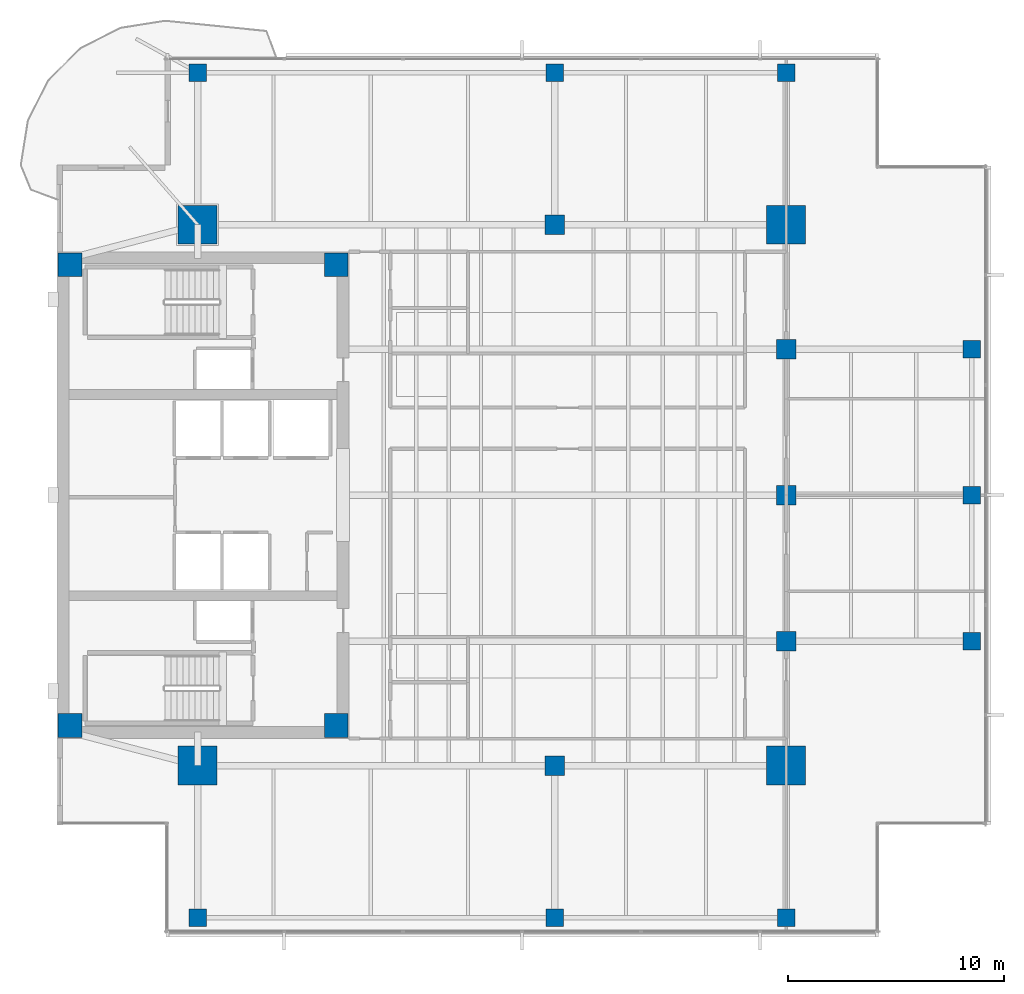
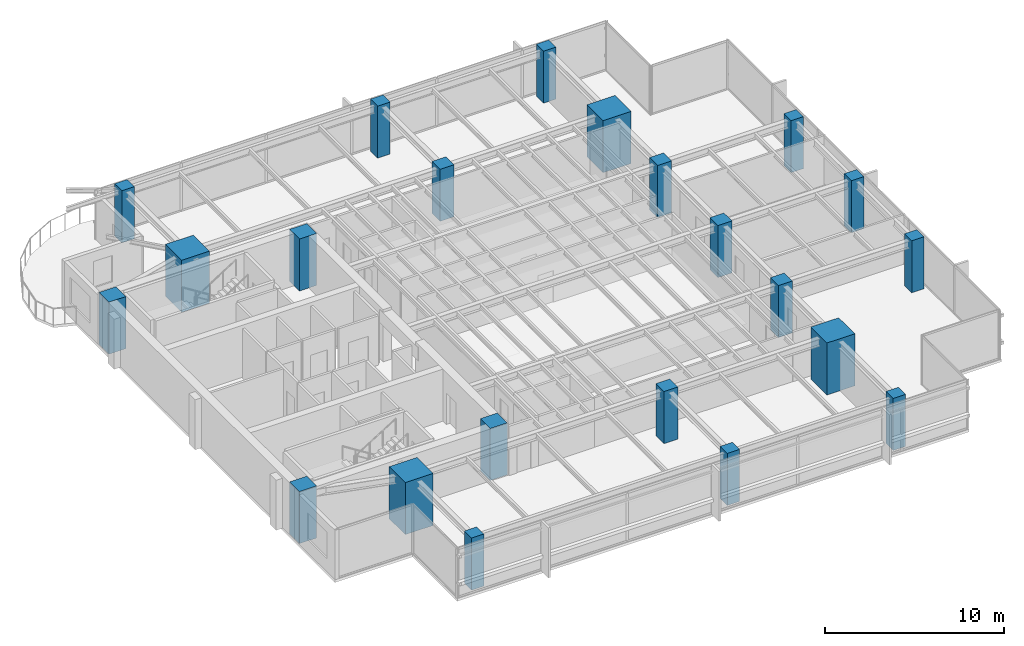
# One storey, part 1 of 14: 22 columns.
"""IFC4 building model written with IfcOpenShell, lengths in metres."""

from ifc_helpers import new_model, si_unit, direction, frame, origin, origin_2d, place, context, subcontext, project, spatial, rectangle, extrude, material, material_profile, profile_set, type_object, element, save


model = new_model("IFC4")

# Units and contexts
model_context = context("Model", 3, precision=1e-05, world=origin(), true_north=direction((0.0, 1.0)))
body_context = subcontext(model_context, "Body", "Model", "MODEL_VIEW")
ifc_project = project(units=[si_unit("LENGTHUNIT", "METRE"), si_unit("AREAUNIT", "SQUARE_METRE"), si_unit("VOLUMEUNIT", "CUBIC_METRE"), si_unit("PLANEANGLEUNIT", "RADIAN"), si_unit("MASSUNIT", "GRAM", prefix="KILO")], contexts=[model_context])

# Site, building, storey
site_placement = place(None, origin())
site = spatial("IfcSite", under=ifc_project, at=site_placement, CompositionType="ELEMENT")
building_placement = place(site_placement, origin())
building = spatial("IfcBuilding", under=site, at=building_placement, Name="Kinhvarn Gate Tower", CompositionType="ELEMENT")
storey_placement = place(building_placement, frame((0.0, 0.0, 209.35009765625)))
storey = spatial("IfcBuildingStorey", under=building, at=storey_placement, Name="L55", CompositionType="ELEMENT", Elevation=209.35009765625)

# Columns
ifc_material_1 = material(Name="Concrete C60/75", Category="concrete")
ifc_material_profile_1 = material_profile(ifc_material_1, rectangle(XDim=1.800048828125, YDim=1.800048828125, at=origin_2d()), Name="RC 1800x1800")
ifc_profile_set_1 = profile_set([ifc_material_profile_1], Name="Concrete C60/75")
column_type_1 = type_object("IfcColumnType", Name="COL-MC-1800", PredefinedType="COLUMN", material=ifc_profile_set_1)
for number, where, z_axis, x_axis, name in (
    (1, (11.0, 12.75, 0.0), (0.0, 0.0, 1.0), (1.0, 0.0, 0.0), "Column MC1-L55 (MC-18)"),
    (2, (11.0, 37.75, 0.0), (0.0, 0.0, 1.0), (1.0, 0.0, 0.0), "Column MC4-L55 (MC-18)"),
    (3, (38.199951171875, 12.75, 0.0), (0.0, 0.0, 1.0), (1.0, 0.0, 0.0), "Column MC2-L55 (MC-18)"),
    (4, (38.199951171875, 37.75, 0.0), (0.0, 0.0, 1.0), (1.0, 0.0, 0.0), "Column MC3-L55 (MC-18)"),
):
    element("IfcColumn", number, at=place(storey_placement, frame(where, z_axis=z_axis, x_axis=x_axis)), inside=storey, type_object=column_type_1, Name=name, PredefinedType="COLUMN", context=body_context, shape_type="SweptSolid", body=[
        extrude(rectangle(XDim=1.800048828125, YDim=1.800048828125, at=origin_2d()), origin(), (0.0, 0.0, 1.0), 3.5498046875),
    ])
ifc_material_2 = material(Name="Concrete C50/60", Category="concrete")
ifc_material_profile_2 = material_profile(ifc_material_2, rectangle(XDim=0.800048828125, YDim=0.800048828125, at=origin_2d()), Name="RC 800x800")
ifc_profile_set_2 = profile_set([ifc_material_profile_2], Name="Concrete C50/60")
column_type_2 = type_object("IfcColumnType", Name="COL-RC-800", PredefinedType="COLUMN", material=ifc_profile_set_2)
for number, where, z_axis, x_axis, name in (
    (5, (46.780029296875, 18.5, 0.0), (0.0, 0.0, 1.0), (1.0, 0.0, 0.0), "Column CE-1-L55 (C-080)"),
    (6, (46.780029296875, 25.25, 0.0), (0.0, 0.0, 1.0), (1.0, 0.0, 0.0), "Column CE-2-L55 (C-080)"),
    (7, (46.780029296875, 32.0, 0.0), (0.0, 0.0, 1.0), (1.0, 0.0, 0.0), "Column CE-3-L55 (C-080)"),
    (8, (11.0, 5.719970703125, 0.0), (0.0, 0.0, 1.0), (1.0, 0.0, 0.0), "Column CS-0-L55 (C-080)"),
    (9, (27.5, 5.719970703125, 0.0), (0.0, 0.0, 1.0), (1.0, 0.0, 0.0), "Column CS-1-L55 (C-080)"),
    (10, (38.199951171875, 5.719970703125, 0.0), (0.0, 0.0, 1.0), (1.0, 0.0, 0.0), "Column CS-2-L55 (C-080)"),
    (11, (11.0, 44.780029296875, 0.0), (0.0, 0.0, 1.0), (1.0, 0.0, 0.0), "Column CN-0-L55 (C-080)"),
    (12, (27.5, 44.780029296875, 0.0), (0.0, 0.0, 1.0), (1.0, 0.0, 0.0), "Column CN-1-L55 (C-080)"),
    (13, (38.199951171875, 44.780029296875, 0.0), (0.0, 0.0, 1.0), (1.0, 0.0, 0.0), "Column CN-2-L55 (C-080)"),
):
    element("IfcColumn", number, at=place(storey_placement, frame(where, z_axis=z_axis, x_axis=x_axis)), inside=storey, type_object=column_type_2, Name=name, PredefinedType="COLUMN", context=body_context, shape_type="SweptSolid", body=[
        extrude(rectangle(XDim=0.800048828125, YDim=0.800048828125, at=origin_2d()), origin(), (0.0, 0.0, 1.0), 3.5498046875),
    ])
ifc_material_profile_3 = material_profile(ifc_material_1, rectangle(XDim=0.89990234375, YDim=0.89990234375, at=origin_2d()), Name="RC 900x900")
ifc_profile_set_3 = profile_set([ifc_material_profile_3], Name="Concrete C60/75")
column_type_3 = type_object("IfcColumnType", Name="COL-RC-900", PredefinedType="COLUMN", material=ifc_profile_set_3)
for number, where, z_axis, x_axis, name in (
    (14, (27.5, 12.75, 0.0), (0.0, 0.0, 1.0), (1.0, 0.0, 0.0), "Column SP27-S-L55 (C-090)"),
    (15, (27.5, 37.75, 0.0), (0.0, 0.0, 1.0), (1.0, 0.0, 0.0), "Column SP27-N-L55 (C-090)"),
    (16, (38.199951171875, 18.5, 0.0), (0.0, 0.0, 1.0), (1.0, 0.0, 0.0), "Column SP38-E1-L55 (C-090)"),
    (17, (38.199951171875, 25.25, 0.0), (0.0, 0.0, 1.0), (1.0, 0.0, 0.0), "Column SP38-E2-L55 (C-090)"),
    (18, (38.199951171875, 32.0, 0.0), (0.0, 0.0, 1.0), (1.0, 0.0, 0.0), "Column SP38-E3-L55 (C-090)"),
):
    element("IfcColumn", number, at=place(storey_placement, frame(where, z_axis=z_axis, x_axis=x_axis)), inside=storey, type_object=column_type_3, Name=name, PredefinedType="COLUMN", context=body_context, shape_type="SweptSolid", body=[
        extrude(rectangle(XDim=0.89990234375, YDim=0.89990234375, at=origin_2d()), origin(), (0.0, 0.0, 1.0), 3.5498046875),
    ])
ifc_material_profile_4 = material_profile(ifc_material_1, rectangle(XDim=1.10009765625, YDim=1.10009765625, at=origin_2d()), Name="RC 1100x1100")
ifc_profile_set_4 = profile_set([ifc_material_profile_4], Name="Concrete C60/75")
column_type_4 = type_object("IfcColumnType", Name="PIL-RC-1100", PredefinedType="PILASTER", material=ifc_profile_set_4)
for number, where, z_axis, x_axis, name in (
    (19, (5.10009765625, 14.60009765625, 0.0), (0.0, 0.0, 1.0), (1.0, 0.0, 0.0), "Column CC-SW-L55 (CP-110)"),
    (20, (5.10009765625, 35.89990234375, 0.0), (0.0, 0.0, 1.0), (1.0, 0.0, 0.0), "Column CC-NW-L55 (CP-110)"),
    (21, (17.39990234375, 14.60009765625, 0.0), (0.0, 0.0, 1.0), (1.0, 0.0, 0.0), "Column CC-SE-L55 (CP-110)"),
    (22, (17.39990234375, 35.89990234375, 0.0), (0.0, 0.0, 1.0), (1.0, 0.0, 0.0), "Column CC-NE-L55 (CP-110)"),
):
    element("IfcColumn", number, at=place(storey_placement, frame(where, z_axis=z_axis, x_axis=x_axis)), inside=storey, type_object=column_type_4, Name=name, PredefinedType="PILASTER", context=body_context, shape_type="SweptSolid", body=[
        extrude(rectangle(XDim=1.10009765625, YDim=1.10009765625, at=origin_2d()), origin(), (0.0, 0.0, 1.0), 3.5498046875),
    ])

save(model, "model.ifc")
